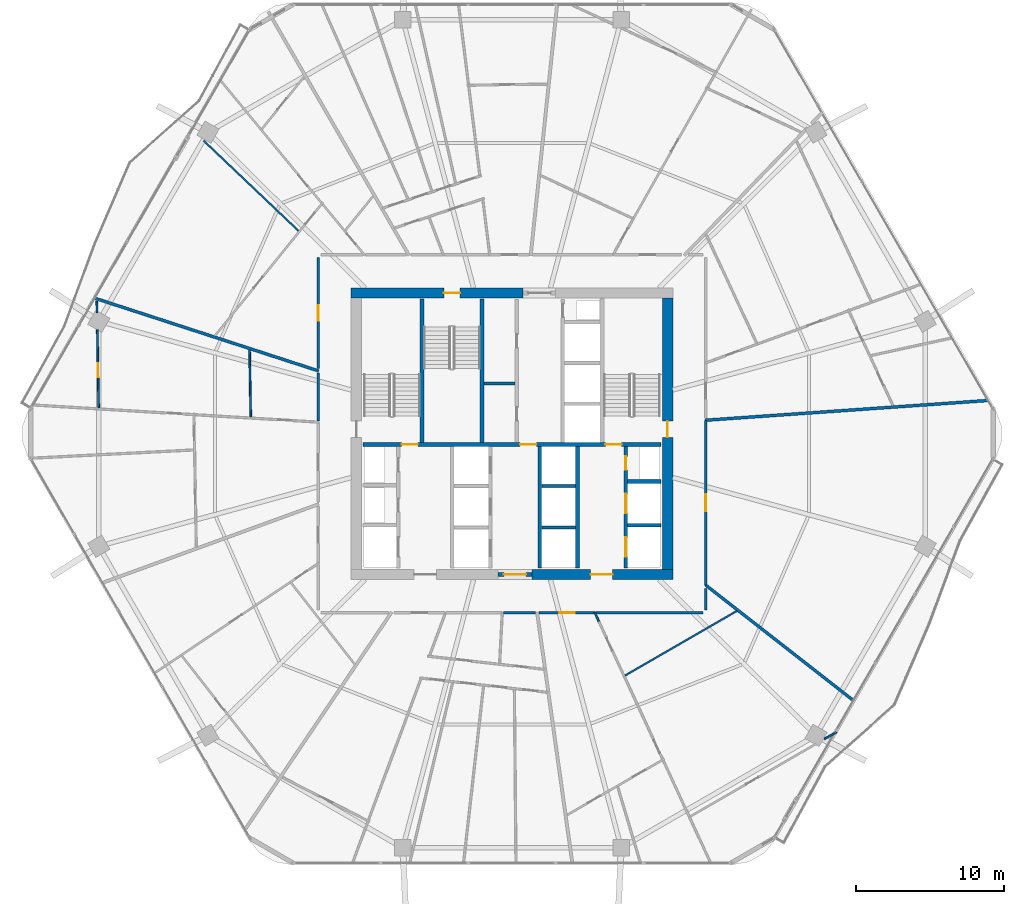
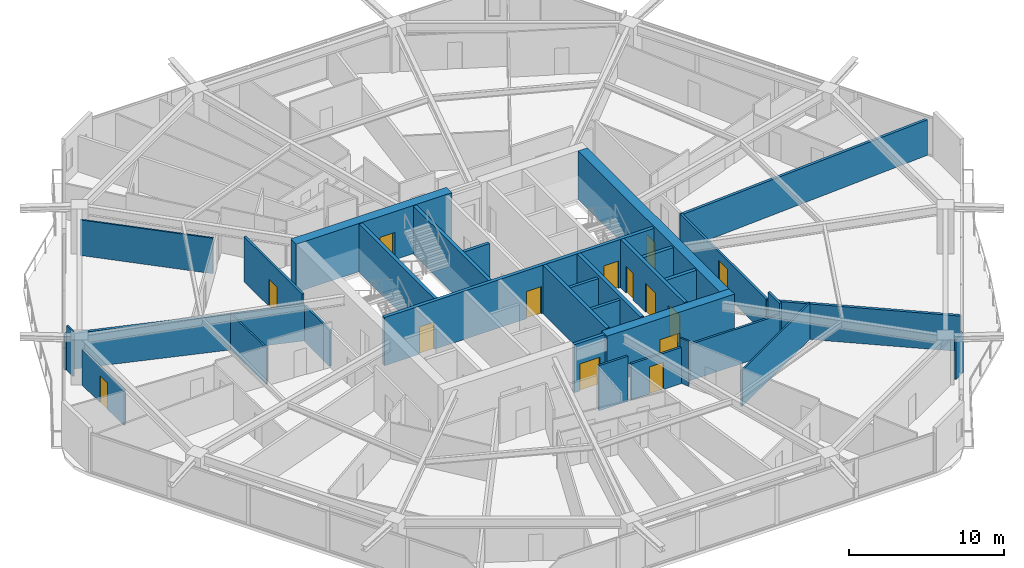
# One storey, part 26 of 33: 32 walls, 14 doors, 14 openings.
"""IFC4 building model written with IfcOpenShell, lengths in metres."""

from ifc_helpers import new_model, si_unit, direction, frame, frame_2d, origin, place, context, subcontext, project, spatial, rectangle, extrude, material, layer, layer_set, type_object, element, fill, save


model = new_model("IFC4")

# Units and contexts
model_context = context("Model", 3, precision=1e-05, world=origin(), true_north=direction((0.0, 1.0)))
body_context = subcontext(model_context, "Body", "Model", "MODEL_VIEW")
ifc_project = project(units=[si_unit("LENGTHUNIT", "METRE"), si_unit("AREAUNIT", "SQUARE_METRE"), si_unit("VOLUMEUNIT", "CUBIC_METRE"), si_unit("PLANEANGLEUNIT", "RADIAN"), si_unit("MASSUNIT", "GRAM", prefix="KILO")], contexts=[model_context])

# Site, building, storey
site_placement = place(None, origin())
site = spatial("IfcSite", under=ifc_project, at=site_placement, CompositionType="ELEMENT")
building_placement = place(site_placement, origin())
building = spatial("IfcBuilding", under=site, at=building_placement, Name="Zuhravey Tower", CompositionType="ELEMENT")
storey_placement = place(building_placement, frame((0.0, 0.0, 96.199951171875)))
storey = spatial("IfcBuildingStorey", under=building, at=storey_placement, Name="L23", CompositionType="ELEMENT", Elevation=96.199951171875)

# Wall, opening, door
ifc_material_1 = material(Name="Concrete C60/75", Category="concrete")
ifc_layer_1 = layer(ifc_material_1, 0.699951171875)
ifc_layer_set_1 = layer_set([ifc_layer_1], Name="Concrete C60/75")
wall_type_1 = type_object("IfcWallType", Name="Core Shear Wall 700", PredefinedType="SHEAR", material=ifc_layer_set_1)
wall_1_placement = place(storey_placement, frame((37.35009765625, 22.5, 0.0), z_axis=(0.0, 0.0, 1.0), x_axis=(1.0, 0.0, 0.0)))
wall_1 = element("IfcWall", 1, at=wall_1_placement, inside=storey, type_object=wall_type_1, Name="L23 South-East Core Shear Wall CW70", PredefinedType="SHEAR", context=body_context, shape_type="SweptSolid", body=[
    extrude(rectangle(XDim=9.5, YDim=0.699951171875, at=frame_2d((4.75, 0.0))), origin(), (0.0, 0.0, 1.0), 3.800048828125),
])
opening_1_placement = place(wall_1_placement, frame((3.949951171875, 0.0, 0.0)))
opening_1 = element("IfcOpeningElement", 2, at=opening_1_placement, cuts=wall_1, Name="Opening FFD1", PredefinedType="OPENING", context=body_context, shape_type="SweptSolid", body=[
    extrude(rectangle(XDim=1.5, YDim=2.14990234375, at=frame_2d((0.75, 1.074951171875))), frame((0.0, 0.362060546875, 0.0), z_axis=(0.0, -1.0, 0.0), x_axis=(1.0, 0.0, 0.0)), (0.0, 0.0, 1.0), 0.723876953125),
])
ifc_material_2 = material(Name="Galvanised fire-rated steel leaf", Category="steel")
door_type_1 = type_object("IfcDoorType", Name="Firefighting Lobby Double Door 1500x2150", OperationType="DOUBLE_DOOR_SINGLE_SWING", PredefinedType="DOOR", material=ifc_material_2)
door_1_placement = place(opening_1_placement, origin())
door_1 = element("IfcDoor", 3, at=door_1_placement, inside=storey, type_object=door_type_1, Name="L23 Firefighting Lobby East Door", OperationType="DOUBLE_DOOR_SINGLE_SWING", OverallHeight=2.14990234375, OverallWidth=1.5, PredefinedType="DOOR", context=body_context, shape_type="SweptSolid", body=[
    extrude(rectangle(XDim=1.5, YDim=2.14990234375, at=frame_2d((0.75, 1.074951171875))), frame((0.0, 0.02490234375, 0.0), z_axis=(0.0, -1.0, 0.0), x_axis=(1.0, 0.0, 0.0)), (0.0, 0.0, 1.0), 0.050048828125),
])
fill(opening_1, door_1)

wall_2_placement = place(storey_placement, frame((36.75, 41.5, 0.0), z_axis=(0.0, 0.0, 1.0), x_axis=(-1.0, 0.0, 0.0)))
wall_2 = element("IfcWall", 4, at=wall_2_placement, inside=storey, type_object=wall_type_1, Name="L23 North-West Core Shear Wall CW70", PredefinedType="SHEAR", context=body_context, shape_type="SweptSolid", body=[
    extrude(rectangle(XDim=11.60009765625, YDim=0.699951171875, at=frame_2d((5.800048828125, 0.0))), origin(), (0.0, 0.0, 1.0), 3.800048828125),
])
opening_2_placement = place(wall_2_placement, frame((4.25, 0.0, 0.0)))
opening_2 = element("IfcOpeningElement", 5, at=opening_2_placement, cuts=wall_2, Name="Opening STD1", PredefinedType="OPENING", context=body_context, shape_type="SweptSolid", body=[
    extrude(rectangle(XDim=1.10009765625, YDim=2.14990234375, at=frame_2d((0.550048828125, 1.074951171875))), frame((0.0, 0.362060546875, 0.0), z_axis=(0.0, -1.0, 0.0), x_axis=(1.0, 0.0, 0.0)), (0.0, 0.0, 1.0), 0.723876953125),
])
door_type_2 = type_object("IfcDoorType", Name="Protected Stair Fire Door 1100x2150", OperationType="NOTDEFINED", PredefinedType="USERDEFINED", material=ifc_material_2)
door_2_placement = place(opening_2_placement, origin())
door_2 = element("IfcDoor", 6, at=door_2_placement, inside=storey, type_object=door_type_2, Name="L23 Stair ST3 Door", ObjectType="EXITDOOR", OperationType="SINGLE_SWING_RIGHT", OverallHeight=2.14990234375, OverallWidth=1.10009765625, PredefinedType="USERDEFINED", context=body_context, shape_type="SweptSolid", body=[
    extrude(rectangle(XDim=1.10009765625, YDim=2.14990234375, at=frame_2d((0.550048828125, 1.074951171875))), frame((0.0, 0.02490234375, 0.0), z_axis=(0.0, -1.0, 0.0), x_axis=(1.0, 0.0, 0.0)), (0.0, 0.0, 1.0), 0.050048828125),
])
fill(opening_2, door_2)

wall_3_placement = place(storey_placement, frame((46.5, 22.85009765625, 0.0), z_axis=(0.0, 0.0, 1.0), x_axis=(0.0, 1.0, 0.0)))
wall_3 = element("IfcWall", 7, at=wall_3_placement, inside=storey, type_object=wall_type_1, Name="L23 East Core Shear Wall CW70", PredefinedType="SHEAR", context=body_context, shape_type="SweptSolid", body=[
    extrude(rectangle(XDim=18.2998046875, YDim=0.699951171875, at=frame_2d((9.14990234375, 0.0))), origin(), (0.0, 0.0, 1.0), 3.800048828125),
])
opening_3_placement = place(wall_3_placement, frame((8.89990234375, 0.0, 0.0)))
opening_3 = element("IfcOpeningElement", 8, at=opening_3_placement, cuts=wall_3, Name="Opening STD1", PredefinedType="OPENING", context=body_context, shape_type="SweptSolid", body=[
    extrude(rectangle(XDim=1.10009765625, YDim=2.14990234375, at=frame_2d((0.550048828125, 1.074951171875))), frame((0.0, 0.362060546875, 0.0), z_axis=(0.0, -1.0, 0.0), x_axis=(1.0, 0.0, 0.0)), (0.0, 0.0, 1.0), 0.723876953125),
])
door_3_placement = place(opening_3_placement, origin())
door_3 = element("IfcDoor", 9, at=door_3_placement, inside=storey, type_object=door_type_2, Name="L23 Stair ST2 Door", ObjectType="EXITDOOR", OperationType="SINGLE_SWING_LEFT", OverallHeight=2.14990234375, OverallWidth=1.10009765625, PredefinedType="USERDEFINED", context=body_context, shape_type="SweptSolid", body=[
    extrude(rectangle(XDim=1.10009765625, YDim=2.14990234375, at=frame_2d((0.550048828125, 1.074951171875))), frame((0.0, 0.02490234375, 0.0), z_axis=(0.0, -1.0, 0.0), x_axis=(1.0, 0.0, 0.0)), (0.0, 0.0, 1.0), 0.050048828125),
])
fill(opening_3, door_3)

ifc_material_3 = material(Name="Gypsum fire-rated stud partition")
ifc_layer_2 = layer(ifc_material_3, 0.159912109375)
ifc_layer_set_2 = layer_set([ifc_layer_2], Name="Gypsum fire-rated stud partition")
wall_type_2 = type_object("IfcWallType", Name="Corridor Fire Partition 160", PredefinedType="PARTITIONING", material=ifc_layer_set_2)
wall_4_placement = place(storey_placement, frame((22.919921875, 43.89990234375, 0.0), z_axis=(0.0, 0.0, 1.0), x_axis=(0.0, -1.0, 0.0)))
wall_4 = element("IfcWall", 10, at=wall_4_placement, inside=storey, type_object=wall_type_2, Name="L23 IW16 Partition 040", PredefinedType="PARTITIONING", context=body_context, shape_type="SweptSolid", body=[
    extrude(rectangle(XDim=7.502197265625, YDim=0.159912109375, at=frame_2d((3.7509765625, 0.0))), origin(), (0.0, 0.0, 1.0), 3.550048828125),
])
opening_4_placement = place(wall_4_placement, frame((3.226318359375, 0.0, 0.0)))
opening_4 = element("IfcOpeningElement", 11, at=opening_4_placement, cuts=wall_4, Name="Opening APD1", PredefinedType="OPENING", context=body_context, shape_type="SweptSolid", body=[
    extrude(rectangle(XDim=1.050048828125, YDim=2.14990234375, at=frame_2d((0.52490234375, 1.074951171875))), frame((0.0, 0.092041015625, 0.0), z_axis=(0.0, -1.0, 0.0), x_axis=(1.0, 0.0, 0.0)), (0.0, 0.0, 1.0), 0.183837890625),
])
ifc_material_4 = material(Name="Solid-core oak fire-rated leaf")
door_type_3 = type_object("IfcDoorType", Name="Apartment Entrance Fire Door 1050x2150", OperationType="NOTDEFINED", PredefinedType="DOOR", material=ifc_material_4)
door_4_placement = place(opening_4_placement, frame((1.050048828125, 0.0, 0.0), z_axis=(0.0, 0.0, 1.0), x_axis=(-1.0, 0.0, 0.0)))
door_4 = element("IfcDoor", 12, at=door_4_placement, inside=storey, type_object=door_type_3, Name="L23 Door 040.1", OperationType="SINGLE_SWING_RIGHT", OverallHeight=2.14990234375, OverallWidth=1.050048828125, PredefinedType="DOOR", context=body_context, shape_type="SweptSolid", body=[
    extrude(rectangle(XDim=1.050048828125, YDim=2.14990234375, at=frame_2d((0.52490234375, 1.074951171875))), frame((0.0, 0.02490234375, 0.0), z_axis=(0.0, -1.0, 0.0), x_axis=(1.0, 0.0, 0.0)), (0.0, 0.0, 1.0), 0.050048828125),
])
fill(opening_4, door_4)

wall_5_placement = place(storey_placement, frame((37.82568359375, 19.919921875, 0.0), z_axis=(0.0, 0.0, 1.0), x_axis=(1.0, 0.0, 0.0)))
wall_5 = element("IfcWall", 13, at=wall_5_placement, inside=storey, type_object=wall_type_2, Name="L23 IW16 Partition 060", PredefinedType="PARTITIONING", context=body_context, shape_type="SweptSolid", body=[
    extrude(rectangle(XDim=3.744140625, YDim=0.159912109375, at=frame_2d((1.8720703125, 0.0))), origin(), (0.0, 0.0, 1.0), 2.85009765625),
])
opening_5_placement = place(wall_5_placement, frame((1.34716796875, 0.0, 0.0)))
opening_5 = element("IfcOpeningElement", 14, at=opening_5_placement, cuts=wall_5, Name="Opening APD1", PredefinedType="OPENING", context=body_context, shape_type="SweptSolid", body=[
    extrude(rectangle(XDim=1.050048828125, YDim=2.14990234375, at=frame_2d((0.52490234375, 1.074951171875))), frame((0.0, 0.092041015625, 0.0), z_axis=(0.0, -1.0, 0.0), x_axis=(1.0, 0.0, 0.0)), (0.0, 0.0, 1.0), 0.183837890625),
])
door_5_placement = place(opening_5_placement, frame((1.050048828125, 0.0, 0.0), z_axis=(0.0, 0.0, 1.0), x_axis=(-1.0, 0.0, 0.0)))
door_5 = element("IfcDoor", 15, at=door_5_placement, inside=storey, type_object=door_type_3, Name="L23 Door 060.1", OperationType="SINGLE_SWING_RIGHT", OverallHeight=2.14990234375, OverallWidth=1.050048828125, PredefinedType="DOOR", context=body_context, shape_type="SweptSolid", body=[
    extrude(rectangle(XDim=1.050048828125, YDim=2.14990234375, at=frame_2d((0.52490234375, 1.074951171875))), frame((0.0, 0.02490234375, 0.0), z_axis=(0.0, -1.0, 0.0), x_axis=(1.0, 0.0, 0.0)), (0.0, 0.0, 1.0), 0.050048828125),
])
fill(opening_5, door_5)

wall_6_placement = place(storey_placement, frame((49.080078125, 21.80615234375, 0.0), z_axis=(0.0, 0.0, 1.0), x_axis=(0.0, 1.0, 0.0)))
wall_6 = element("IfcWall", 16, at=wall_6_placement, inside=storey, type_object=wall_type_2, Name="L23 IW16 Partition 061", PredefinedType="PARTITIONING", context=body_context, shape_type="SweptSolid", body=[
    extrude(rectangle(XDim=11.08837890625, YDim=0.159912109375, at=frame_2d((5.544189453125, 0.0))), origin(), (0.0, 0.0, 1.0), 2.85009765625),
])
opening_6_placement = place(wall_6_placement, frame((4.96923828125, 0.0, 0.0)))
opening_6 = element("IfcOpeningElement", 17, at=opening_6_placement, cuts=wall_6, Name="Opening CLD1", PredefinedType="OPENING", context=body_context, shape_type="SweptSolid", body=[
    extrude(rectangle(XDim=1.14990234375, YDim=2.199951171875, at=frame_2d((0.574951171875, 1.10009765625))), frame((0.0, 0.092041015625, 0.0), z_axis=(0.0, -1.0, 0.0), x_axis=(1.0, 0.0, 0.0)), (0.0, 0.0, 1.0), 0.183837890625),
])
ifc_material_5 = material(Name="Acoustic timber leaf with vision lite", Category="wood")
door_type_4 = type_object("IfcDoorType", Name="Classroom Acoustic Door 1150x2200", OperationType="NOTDEFINED", PredefinedType="DOOR", material=ifc_material_5)
door_6_placement = place(opening_6_placement, frame((1.14990234375, 0.0, 0.0), z_axis=(0.0, 0.0, 1.0), x_axis=(-1.0, 0.0, 0.0)))
door_6 = element("IfcDoor", 18, at=door_6_placement, inside=storey, type_object=door_type_4, Name="L23 Door 061.1", OperationType="SINGLE_SWING_LEFT", OverallHeight=2.199951171875, OverallWidth=1.14990234375, PredefinedType="DOOR", context=body_context, shape_type="SweptSolid", body=[
    extrude(rectangle(XDim=1.14990234375, YDim=2.199951171875, at=frame_2d((0.574951171875, 1.10009765625))), frame((0.0, 0.02490234375, 0.0), z_axis=(0.0, -1.0, 0.0), x_axis=(1.0, 0.0, 0.0)), (0.0, 0.0, 1.0), 0.050048828125),
])
fill(opening_6, door_6)

# Walls
wall_7_placement = place(storey_placement, frame((22.919921875, 36.10302734375, 0.0), z_axis=(0.0, 0.0, 1.0), x_axis=(0.0, -1.0, 0.0)))
element("IfcWall", 19, at=wall_7_placement, inside=storey, type_object=wall_type_2, Name="L23 IW16 Partition 126", PredefinedType="PARTITIONING", context=body_context, shape_type="SweptSolid", body=[
    extrude(rectangle(XDim=3.24853515625, YDim=0.159912109375, at=frame_2d((1.624267578125, 0.0))), origin(), (0.0, 0.0, 1.0), 2.85009765625),
])
wall_8_placement = place(storey_placement, frame((35.4150390625, 19.919921875, 0.0), z_axis=(0.0, 0.0, 1.0), x_axis=(1.0, 0.0, 0.0)))
element("IfcWall", 20, at=wall_8_placement, inside=storey, type_object=wall_type_2, Name="L23 IW16 Partition 130", PredefinedType="PARTITIONING", context=body_context, shape_type="SweptSolid", body=[
    extrude(rectangle(XDim=2.1552734375, YDim=0.159912109375, at=frame_2d((1.07763671875, 0.0))), origin(), (0.0, 0.0, 1.0), 3.550048828125),
])
wall_9_placement = place(storey_placement, frame((41.6669921875, 19.919921875, 0.0), z_axis=(0.0, 0.0, 1.0), x_axis=(1.0, 0.0, 0.0)))
element("IfcWall", 21, at=wall_9_placement, inside=storey, type_object=wall_type_2, Name="L23 IW16 Partition 131", PredefinedType="PARTITIONING", context=body_context, shape_type="SweptSolid", body=[
    extrude(rectangle(XDim=7.23291015625, YDim=0.159912109375, at=frame_2d((3.616455078125, 0.0))), origin(), (0.0, 0.0, 1.0), 2.85009765625),
])
wall_10_placement = place(storey_placement, frame((49.080078125, 20.10009765625, 0.0), z_axis=(0.0, 0.0, 1.0), x_axis=(0.0, 1.0, 0.0)))
element("IfcWall", 22, at=wall_10_placement, inside=storey, type_object=wall_type_2, Name="L23 IW16 Partition 132", PredefinedType="PARTITIONING", context=body_context, shape_type="SweptSolid", body=[
    extrude(rectangle(XDim=1.469970703125, YDim=0.159912109375, at=frame_2d((0.73486328125, 0.0))), origin(), (0.0, 0.0, 1.0), 3.550048828125),
])

# Wall, opening, door
ifc_material_6 = material(Name="Concrete C50/60", Category="concrete")
ifc_layer_3 = layer(ifc_material_6, 0.25)
ifc_layer_set_3 = layer_set([ifc_layer_3], Name="Concrete C50/60")
wall_type_3 = type_object("IfcWallType", Name="Firefighting Shaft & Stair Wall 250", PredefinedType="SOLIDWALL", material=ifc_layer_set_3)
wall_11_placement = place(storey_placement, frame((35.06005859375, 22.5, 0.0), z_axis=(0.0, 0.0, 1.0), x_axis=(1.0, 0.0, 0.0)))
wall_11 = element("IfcWall", 23, at=wall_11_placement, inside=storey, type_object=wall_type_3, Name="L23 FW25 Shaft Wall 001", PredefinedType="SOLIDWALL", context=body_context, shape_type="SweptSolid", body=[
    extrude(rectangle(XDim=2.280029296875, YDim=0.25, at=frame_2d((1.14013671875, 0.0))), origin(), (0.0, 0.0, 1.0), 3.800048828125),
])
opening_7_placement = place(wall_11_placement, frame((0.389892578125, 0.0, 0.0)))
opening_7 = element("IfcOpeningElement", 24, at=opening_7_placement, cuts=wall_11, Name="Opening FFD1", PredefinedType="OPENING", context=body_context, shape_type="SweptSolid", body=[
    extrude(rectangle(XDim=1.5, YDim=2.14990234375, at=frame_2d((0.75, 1.074951171875))), frame((0.0, 0.136962890625, 0.0), z_axis=(0.0, -1.0, 0.0), x_axis=(1.0, 0.0, 0.0)), (0.0, 0.0, 1.0), 0.27392578125),
])
door_7_placement = place(opening_7_placement, frame((1.5, 0.0, 0.0), z_axis=(0.0, 0.0, 1.0), x_axis=(-1.0, 0.0, 0.0)))
door_7 = element("IfcDoor", 25, at=door_7_placement, inside=storey, type_object=door_type_1, Name="L23 South Lift Lobby Exit Door", OperationType="DOUBLE_DOOR_SINGLE_SWING", OverallHeight=2.14990234375, OverallWidth=1.5, PredefinedType="DOOR", context=body_context, shape_type="SweptSolid", body=[
    extrude(rectangle(XDim=1.5, YDim=2.14990234375, at=frame_2d((0.75, 1.074951171875))), frame((0.0, 0.02490234375, 0.0), z_axis=(0.0, -1.0, 0.0), x_axis=(1.0, 0.0, 0.0)), (0.0, 0.0, 1.0), 0.050048828125),
])
fill(opening_7, door_7)

# Wall, openings, doors
wall_12_placement = place(storey_placement, frame((25.949951171875, 31.27490234375, 0.0), z_axis=(0.0, 0.0, 1.0), x_axis=(1.0, 0.0, 0.0)))
wall_12 = element("IfcWall", 26, at=wall_12_placement, inside=storey, type_object=wall_type_3, Name="L23 FW25 Shaft Wall 003", PredefinedType="SOLIDWALL", context=body_context, shape_type="SweptSolid", body=[
    extrude(rectangle(XDim=20.10009765625, YDim=0.25, at=frame_2d((10.050048828125, 0.0))), origin(), (0.0, 0.0, 1.0), 3.800048828125),
])
opening_8_placement = place(wall_12_placement, frame((2.60009765625, 0.0, 0.0)))
opening_8 = element("IfcOpeningElement", 27, at=opening_8_placement, cuts=wall_12, Name="Opening STD1", PredefinedType="OPENING", context=body_context, shape_type="SweptSolid", body=[
    extrude(rectangle(XDim=1.10009765625, YDim=2.14990234375, at=frame_2d((0.550048828125, 1.074951171875))), frame((0.0, 0.136962890625, 0.0), z_axis=(0.0, -1.0, 0.0), x_axis=(1.0, 0.0, 0.0)), (0.0, 0.0, 1.0), 0.27392578125),
])
opening_9_placement = place(wall_12_placement, frame((10.60009765625, 0.0, 0.0)))
opening_9 = element("IfcOpeningElement", 28, at=opening_9_placement, cuts=wall_12, Name="Opening STD1", PredefinedType="OPENING", context=body_context, shape_type="SweptSolid", body=[
    extrude(rectangle(XDim=1.10009765625, YDim=2.14990234375, at=frame_2d((0.550048828125, 1.074951171875))), frame((0.0, 0.136962890625, 0.0), z_axis=(0.0, -1.0, 0.0), x_axis=(1.0, 0.0, 0.0)), (0.0, 0.0, 1.0), 0.27392578125),
])
opening_10_placement = place(wall_12_placement, frame((16.35009765625, 0.0, 0.0)))
opening_10 = element("IfcOpeningElement", 29, at=opening_10_placement, cuts=wall_12, Name="Opening STD1", PredefinedType="OPENING", context=body_context, shape_type="SweptSolid", body=[
    extrude(rectangle(XDim=1.10009765625, YDim=2.14990234375, at=frame_2d((0.550048828125, 1.074951171875))), frame((0.0, 0.136962890625, 0.0), z_axis=(0.0, -1.0, 0.0), x_axis=(1.0, 0.0, 0.0)), (0.0, 0.0, 1.0), 0.27392578125),
])
door_8_placement = place(opening_8_placement, origin())
door_8 = element("IfcDoor", 30, at=door_8_placement, inside=storey, type_object=door_type_2, Name="L23 FFL-W to ST1 Door", ObjectType="EXITDOOR", OperationType="SINGLE_SWING_LEFT", OverallHeight=2.14990234375, OverallWidth=1.10009765625, PredefinedType="USERDEFINED", context=body_context, shape_type="SweptSolid", body=[
    extrude(rectangle(XDim=1.10009765625, YDim=2.14990234375, at=frame_2d((0.550048828125, 1.074951171875))), frame((0.0, 0.02490234375, 0.0), z_axis=(0.0, -1.0, 0.0), x_axis=(1.0, 0.0, 0.0)), (0.0, 0.0, 1.0), 0.050048828125),
])
fill(opening_8, door_8)
door_9_placement = place(opening_9_placement, origin())
door_9 = element("IfcDoor", 31, at=door_9_placement, inside=storey, type_object=door_type_2, Name="L23 Core Lobby Link Door", ObjectType="EXITDOOR", OperationType="SINGLE_SWING_RIGHT", OverallHeight=2.14990234375, OverallWidth=1.10009765625, PredefinedType="USERDEFINED", context=body_context, shape_type="SweptSolid", body=[
    extrude(rectangle(XDim=1.10009765625, YDim=2.14990234375, at=frame_2d((0.550048828125, 1.074951171875))), frame((0.0, 0.02490234375, 0.0), z_axis=(0.0, -1.0, 0.0), x_axis=(1.0, 0.0, 0.0)), (0.0, 0.0, 1.0), 0.050048828125),
])
fill(opening_9, door_9)
door_10_placement = place(opening_10_placement, origin())
door_10 = element("IfcDoor", 32, at=door_10_placement, inside=storey, type_object=door_type_2, Name="L23 FFL-E to ST2 Door", ObjectType="EXITDOOR", OperationType="SINGLE_SWING_LEFT", OverallHeight=2.14990234375, OverallWidth=1.10009765625, PredefinedType="USERDEFINED", context=body_context, shape_type="SweptSolid", body=[
    extrude(rectangle(XDim=1.10009765625, YDim=2.14990234375, at=frame_2d((0.550048828125, 1.074951171875))), frame((0.0, 0.02490234375, 0.0), z_axis=(0.0, -1.0, 0.0), x_axis=(1.0, 0.0, 0.0)), (0.0, 0.0, 1.0), 0.050048828125),
])
fill(opening_10, door_10)

# Walls
for number, where, z_axis, x_axis, name in (
    (33, (29.925048828125, 31.39990234375, 0.0), (0.0, 0.0, 1.0), (0.0, 1.0, 0.0), "L23 FW25 Shaft Wall 004"),
    (34, (33.97509765625, 31.39990234375, 0.0), (0.0, 0.0, 1.0), (0.0, 1.0, 0.0), "L23 FW25 Shaft Wall 005"),
):
    element("IfcWall", number, at=place(storey_placement, frame(where, z_axis=z_axis, x_axis=x_axis)), inside=storey, type_object=wall_type_3, Name=name, PredefinedType="SOLIDWALL", context=body_context, shape_type="SweptSolid", body=[
        extrude(rectangle(XDim=9.7001953125, YDim=0.25, at=frame_2d((4.85009765625, 0.0))), origin(), (0.0, 0.0, 1.0), 3.800048828125),
    ])
for number, where, z_axis, x_axis, name in (
    (35, (37.875, 22.949951171875, 0.0), (0.0, 0.0, 1.0), (0.0, 1.0, 0.0), "L23 FW25 Shaft Wall 014"),
    (36, (40.425048828125, 22.949951171875, 0.0), (0.0, 0.0, 1.0), (0.0, 1.0, 0.0), "L23 FW25 Shaft Wall 015"),
):
    element("IfcWall", number, at=place(storey_placement, frame(where, z_axis=z_axis, x_axis=x_axis)), inside=storey, type_object=wall_type_3, Name=name, PredefinedType="SOLIDWALL", context=body_context, shape_type="SweptSolid", body=[
        extrude(rectangle(XDim=8.199951171875, YDim=0.25, at=frame_2d((4.10009765625, 0.0))), origin(), (0.0, 0.0, 1.0), 3.800048828125),
    ])
for number, where, z_axis, x_axis, name in (
    (37, (43.800048828125, 25.824951171875, 0.0), (0.0, 0.0, 1.0), (1.0, 0.0, 0.0), "L23 FW25 Shaft Wall 016"),
    (38, (43.800048828125, 28.77490234375, 0.0), (0.0, 0.0, 1.0), (1.0, 0.0, 0.0), "L23 FW25 Shaft Wall 017"),
):
    element("IfcWall", number, at=place(storey_placement, frame(where, z_axis=z_axis, x_axis=x_axis)), inside=storey, type_object=wall_type_3, Name=name, PredefinedType="SOLIDWALL", context=body_context, shape_type="SweptSolid", body=[
        extrude(rectangle(XDim=2.25, YDim=0.25, at=frame_2d((1.125, 0.0))), origin(), (0.0, 0.0, 1.0), 3.800048828125),
    ])

# Wall, openings, doors
wall_13_placement = place(storey_placement, frame((43.675048828125, 22.949951171875, 0.0), z_axis=(0.0, 0.0, 1.0), x_axis=(0.0, 1.0, 0.0)))
wall_13 = element("IfcWall", 39, at=wall_13_placement, inside=storey, type_object=wall_type_3, Name="L23 FW25 Shaft Wall 018", PredefinedType="SOLIDWALL", context=body_context, shape_type="SweptSolid", body=[
    extrude(rectangle(XDim=8.199951171875, YDim=0.25, at=frame_2d((4.10009765625, 0.0))), origin(), (0.0, 0.0, 1.0), 3.800048828125),
])
opening_11_placement = place(wall_13_placement, frame((0.75, 0.0, 0.0)))
opening_11 = element("IfcOpeningElement", 40, at=opening_11_placement, cuts=wall_13, Name="Opening LD2", PredefinedType="OPENING", context=body_context, shape_type="SweptSolid", body=[
    extrude(rectangle(XDim=1.300048828125, YDim=2.300048828125, at=frame_2d((0.64990234375, 1.14990234375))), frame((0.0, 0.136962890625, 0.0), z_axis=(0.0, -1.0, 0.0), x_axis=(1.0, 0.0, 0.0)), (0.0, 0.0, 1.0), 0.27392578125),
])
opening_12_placement = place(wall_13_placement, frame((3.699951171875, 0.0, 0.0)))
opening_12 = element("IfcOpeningElement", 41, at=opening_12_placement, cuts=wall_13, Name="Opening LD2", PredefinedType="OPENING", context=body_context, shape_type="SweptSolid", body=[
    extrude(rectangle(XDim=1.300048828125, YDim=2.300048828125, at=frame_2d((0.64990234375, 1.14990234375))), frame((0.0, 0.136962890625, 0.0), z_axis=(0.0, -1.0, 0.0), x_axis=(1.0, 0.0, 0.0)), (0.0, 0.0, 1.0), 0.27392578125),
])
opening_13_placement = place(wall_13_placement, frame((6.6201171875, 0.0, 0.0)))
opening_13 = element("IfcOpeningElement", 42, at=opening_13_placement, cuts=wall_13, Name="Opening RSD1", PredefinedType="OPENING", context=body_context, shape_type="SweptSolid", body=[
    extrude(rectangle(XDim=0.89990234375, YDim=2.10009765625, at=frame_2d((0.449951171875, 1.050048828125))), frame((0.0, 0.136962890625, 0.0), z_axis=(0.0, -1.0, 0.0), x_axis=(1.0, 0.0, 0.0)), (0.0, 0.0, 1.0), 0.27392578125),
])
ifc_material_7 = material(Name="Brushed stainless steel", Category="steel")
door_type_5 = type_object("IfcDoorType", Name="Freight & Stretcher Lift Sliding Door 1300x2300", OperationType="DOUBLE_DOOR_SLIDING", PredefinedType="DOOR", material=ifc_material_7)
door_11_placement = place(opening_11_placement, origin())
door_11 = element("IfcDoor", 43, at=door_11_placement, inside=storey, type_object=door_type_5, Name="L23 Lift FF2 Landing Door", OperationType="DOUBLE_DOOR_SLIDING", OverallHeight=2.300048828125, OverallWidth=1.300048828125, PredefinedType="DOOR", context=body_context, shape_type="SweptSolid", body=[
    extrude(rectangle(XDim=1.300048828125, YDim=2.300048828125, at=frame_2d((0.64990234375, 1.14990234375))), frame((0.0, 0.02490234375, 0.0), z_axis=(0.0, -1.0, 0.0), x_axis=(1.0, 0.0, 0.0)), (0.0, 0.0, 1.0), 0.050048828125),
])
fill(opening_11, door_11)
door_12_placement = place(opening_12_placement, origin())
door_12 = element("IfcDoor", 44, at=door_12_placement, inside=storey, type_object=door_type_5, Name="L23 Lift SV1 Landing Door", OperationType="DOUBLE_DOOR_SLIDING", OverallHeight=2.300048828125, OverallWidth=1.300048828125, PredefinedType="DOOR", context=body_context, shape_type="SweptSolid", body=[
    extrude(rectangle(XDim=1.300048828125, YDim=2.300048828125, at=frame_2d((0.64990234375, 1.14990234375))), frame((0.0, 0.02490234375, 0.0), z_axis=(0.0, -1.0, 0.0), x_axis=(1.0, 0.0, 0.0)), (0.0, 0.0, 1.0), 0.050048828125),
])
fill(opening_12, door_12)
ifc_material_8 = material(Name="Galvanised fire-rated steel access leaf", Category="steel")
door_type_6 = type_object("IfcDoorType", Name="Riser & Shaft Access Fire Door 900x2100", OperationType="NOTDEFINED", PredefinedType="DOOR", material=ifc_material_8)
door_13_placement = place(opening_13_placement, origin())
door_13 = element("IfcDoor", 45, at=door_13_placement, inside=storey, type_object=door_type_6, Name="L23 Plumbing Riser Door", OperationType="SINGLE_SWING_LEFT", OverallHeight=2.10009765625, OverallWidth=0.89990234375, PredefinedType="DOOR", context=body_context, shape_type="SweptSolid", body=[
    extrude(rectangle(XDim=0.89990234375, YDim=2.10009765625, at=frame_2d((0.449951171875, 1.050048828125))), frame((0.0, 0.02490234375, 0.0), z_axis=(0.0, -1.0, 0.0), x_axis=(1.0, 0.0, 0.0)), (0.0, 0.0, 1.0), 0.050048828125),
])
fill(opening_13, door_13)

# Walls
ifc_material_9 = material(Name="Gypsum double-stud party assembly")
ifc_layer_4 = layer(ifc_material_9, 0.199951171875)
ifc_layer_set_4 = layer_set([ifc_layer_4], Name="Gypsum double-stud party assembly")
wall_type_4 = type_object("IfcWallType", Name="Inter-Tenancy Party Wall 200", PredefinedType="PARTITIONING", material=ifc_layer_set_4)
wall_14_placement = place(storey_placement, frame((49.0400390625, 32.911865234375, 0.0), z_axis=(0.0, 0.0, 1.0), x_axis=(0.99756386753, 0.069759086856, 0.0)))
element("IfcWall", 46, at=wall_14_placement, inside=storey, type_object=wall_type_4, Name="L23 IW20 Partition 070", PredefinedType="PARTITIONING", context=body_context, shape_type="SweptSolid", body=[
    extrude(rectangle(XDim=19.147216796875, YDim=0.199951171875, at=frame_2d((9.57373046875, 0.0))), origin(), (0.0, 0.0, 1.0), 2.800048828125),
])
wall_15_placement = place(storey_placement, frame((22.9599609375, 36.237060546875, 0.0), z_axis=(0.0, 0.0, 1.0), x_axis=(-0.95105675479, 0.309016260362, 0.0)))
element("IfcWall", 47, at=wall_15_placement, inside=storey, type_object=wall_type_4, Name="L23 IW20 Partition 094", PredefinedType="PARTITIONING", context=body_context, shape_type="SweptSolid", body=[
    extrude(rectangle(XDim=15.894287109375, YDim=0.199951171875, at=frame_2d((7.947265625, 0.0))), origin(), (0.0, 0.0, 1.0), 2.800048828125),
])
wall_16_placement = place(storey_placement, frame((49.04736328125, 21.80615234375, 0.0), z_axis=(0.0, 0.0, 1.0), x_axis=(0.788008325787, -0.61566458278, 0.0)))
element("IfcWall", 48, at=wall_16_placement, inside=storey, type_object=wall_type_4, Name="L23 IW20 Partition 118", PredefinedType="PARTITIONING", context=body_context, shape_type="SweptSolid", body=[
    extrude(rectangle(XDim=12.685546875, YDim=0.199951171875, at=frame_2d((6.3427734375, 0.0))), origin(), (0.0, 0.0, 1.0), 2.800048828125),
])
ifc_material_10 = material(Name="Gypsum acoustic stud assembly")
ifc_layer_5 = layer(ifc_material_10, 0.219970703125)
ifc_layer_set_5 = layer_set([ifc_layer_5], Name="Gypsum acoustic stud assembly")
wall_type_5 = type_object("IfcWallType", Name="School Acoustic Compartment Wall 220", PredefinedType="PARTITIONING", material=ifc_layer_set_5)
wall_17_placement = place(storey_placement, frame((34.10791015625, 35.39990234375, 0.0), z_axis=(0.0, 0.0, 1.0), x_axis=(1.0, 0.0, 0.0)))
element("IfcWall", 49, at=wall_17_placement, inside=storey, type_object=wall_type_5, Name="L23 IW22 Partition 062", PredefinedType="PARTITIONING", context=body_context, shape_type="SweptSolid", body=[
    extrude(rectangle(XDim=2.083984375, YDim=0.219970703125, at=frame_2d((1.0419921875, 0.0))), origin(), (0.0, 0.0, 1.0), 3.550048828125),
])
for number, where, z_axis, x_axis, name in (
    (50, (38.008056640625, 25.675048828125, 0.0), (0.0, 0.0, 1.0), (1.0, 0.0, 0.0), "L23 IW22 Partition 068"),
    (51, (38.008056640625, 28.47509765625, 0.0), (0.0, 0.0, 1.0), (1.0, 0.0, 0.0), "L23 IW22 Partition 069"),
):
    element("IfcWall", number, at=place(storey_placement, frame(where, z_axis=z_axis, x_axis=x_axis)), inside=storey, type_object=wall_type_5, Name=name, PredefinedType="PARTITIONING", context=body_context, shape_type="SweptSolid", body=[
        extrude(rectangle(XDim=2.283935546875, YDim=0.219970703125, at=frame_2d((1.14208984375, 0.0))), origin(), (0.0, 0.0, 1.0), 3.550048828125),
    ])

# Wall, opening, door
ifc_material_11 = material(Name="Gypsum metal-stud partition")
ifc_layer_6 = layer(ifc_material_11, 0.1201171875)
ifc_layer_set_6 = layer_set([ifc_layer_6], Name="Gypsum metal-stud partition")
wall_type_6 = type_object("IfcWallType", Name="Unit Internal Partition 120", PredefinedType="PARTITIONING", material=ifc_layer_set_6)
wall_18_placement = place(storey_placement, frame((8.010986328125, 39.021484375, 0.0), z_axis=(0.0, 0.0, 1.0), x_axis=(0.017441359141, -0.999847887927, 0.0)))
wall_18 = element("IfcWall", 52, at=wall_18_placement, inside=storey, type_object=wall_type_6, Name="L23 IW12 Partition 045", PredefinedType="PARTITIONING", context=body_context, shape_type="SweptSolid", body=[
    extrude(rectangle(XDim=5.277099609375, YDim=0.1201171875, at=frame_2d((2.638671875, 0.0))), origin(), (0.0, 0.0, 1.0), 2.800048828125),
])
opening_14_placement = place(wall_18_placement, frame((2.247802734375, 0.0, 0.0)))
opening_14 = element("IfcOpeningElement", 53, at=opening_14_placement, cuts=wall_18, Name="Opening IND1", PredefinedType="OPENING", context=body_context, shape_type="SweptSolid", body=[
    extrude(rectangle(XDim=0.949951171875, YDim=2.10009765625, at=frame_2d((0.47509765625, 1.050048828125))), frame((0.0, 0.072021484375, 0.0), z_axis=(0.0, -1.0, 0.0), x_axis=(1.0, 0.0, 0.0)), (0.0, 0.0, 1.0), 0.14404296875),
])
ifc_material_12 = material(Name="Painted engineered timber leaf", Category="wood")
door_type_7 = type_object("IfcDoorType", Name="Internal Room & Bedroom Door 950x2100", OperationType="NOTDEFINED", PredefinedType="DOOR", material=ifc_material_12)
door_14_placement = place(opening_14_placement, frame((0.949951171875, 0.0, 0.0), z_axis=(0.0, 0.0, 1.0), x_axis=(-1.0, 0.0, 0.0)))
door_14 = element("IfcDoor", 54, at=door_14_placement, inside=storey, type_object=door_type_7, Name="Apartment L23-05 Bedroom 1 Door", OperationType="SINGLE_SWING_LEFT", OverallHeight=2.10009765625, OverallWidth=0.949951171875, PredefinedType="DOOR", context=body_context, shape_type="SweptSolid", body=[
    extrude(rectangle(XDim=0.949951171875, YDim=2.10009765625, at=frame_2d((0.47509765625, 1.050048828125))), frame((0.0, 0.02490234375, 0.0), z_axis=(0.0, -1.0, 0.0), x_axis=(1.0, 0.0, 0.0)), (0.0, 0.0, 1.0), 0.050048828125),
])
fill(opening_14, door_14)

# Walls
wall_19_placement = place(storey_placement, frame((21.593994140625, 45.69189453125, 0.0), z_axis=(0.0, 0.0, 1.0), x_axis=(-0.724829920805, 0.688927852467, 0.0)))
element("IfcWall", 55, at=wall_19_placement, inside=storey, type_object=wall_type_6, Name="L23 IW12 Partition 090", PredefinedType="PARTITIONING", context=body_context, shape_type="SweptSolid", body=[
    extrude(rectangle(XDim=8.846923828125, YDim=0.1201171875, at=frame_2d((4.42333984375, 0.0))), origin(), (0.0, 0.0, 1.0), 2.800048828125),
])
wall_20_placement = place(storey_placement, frame((18.2880859375, 37.641357421875, 0.0), z_axis=(0.0, 0.0, 1.0), x_axis=(0.017415945178, -0.999848330925, 0.0)))
element("IfcWall", 56, at=wall_20_placement, inside=storey, type_object=wall_type_6, Name="L23 IW12 Partition 098", PredefinedType="PARTITIONING", context=body_context, shape_type="SweptSolid", body=[
    extrude(rectangle(XDim=4.513916015625, YDim=0.1201171875, at=frame_2d((2.2568359375, 0.0))), origin(), (0.0, 0.0, 1.0), 2.85009765625),
])
wall_21_placement = place(storey_placement, frame((7.9775390625, 40.940185546875, 0.0), z_axis=(0.0, 0.0, 1.0), x_axis=(0.017557656864, -0.999845852462, 0.0)))
element("IfcWall", 57, at=wall_21_placement, inside=storey, type_object=wall_type_6, Name="L23 IW12 Partition 099", PredefinedType="PARTITIONING", context=body_context, shape_type="SweptSolid", body=[
    extrude(rectangle(XDim=0.778564453125, YDim=0.1201171875, at=frame_2d((0.38916015625, 0.0))), origin(), (0.0, 0.0, 1.0), 3.550048828125),
])
wall_22_placement = place(storey_placement, frame((41.572265625, 19.962646484375, 0.0), z_axis=(0.0, 0.0, 1.0), x_axis=(0.419952560089, -0.907546057936, 0.0)))
element("IfcWall", 58, at=wall_22_placement, inside=storey, type_object=wall_type_6, Name="L23 IW12 Partition 114", PredefinedType="PARTITIONING", context=body_context, shape_type="SweptSolid", body=[
    extrude(rectangle(XDim=0.675048828125, YDim=0.1201171875, at=frame_2d((0.33740234375, 0.0))), origin(), (0.0, 0.0, 1.0), 3.550048828125),
])
wall_23_placement = place(storey_placement, frame((43.628662109375, 15.68212890625, 0.0), z_axis=(0.0, 0.0, 1.0), x_axis=(0.866026296779, 0.499998453285, 0.0)))
element("IfcWall", 59, at=wall_23_placement, inside=storey, type_object=wall_type_6, Name="L23 IW12 Partition 116", PredefinedType="PARTITIONING", context=body_context, shape_type="SweptSolid", body=[
    extrude(rectangle(XDim=8.72900390625, YDim=0.1201171875, at=frame_2d((4.364501953125, 0.0))), origin(), (0.0, 0.0, 1.0), 2.85009765625),
])
wall_24_placement = place(storey_placement, frame((57.089111328125, 11.396728515625, 0.0), z_axis=(0.0, 0.0, 1.0), x_axis=(0.866043818878, 0.499968102766, 0.0)))
element("IfcWall", 60, at=wall_24_placement, inside=storey, type_object=wall_type_6, Name="L23 IW12 Partition 117", PredefinedType="PARTITIONING", context=body_context, shape_type="SweptSolid", body=[
    extrude(rectangle(XDim=0.9462890625, YDim=0.1201171875, at=frame_2d((0.47314453125, 0.0))), origin(), (0.0, 0.0, 1.0), 3.1220703125),
])

save(model, "model.ifc")
